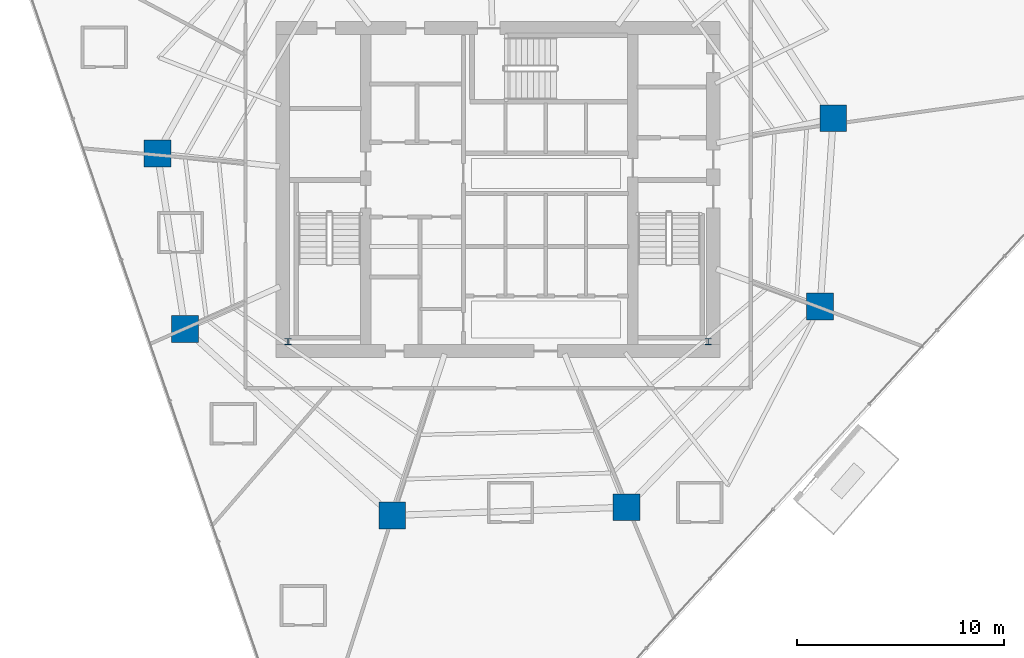
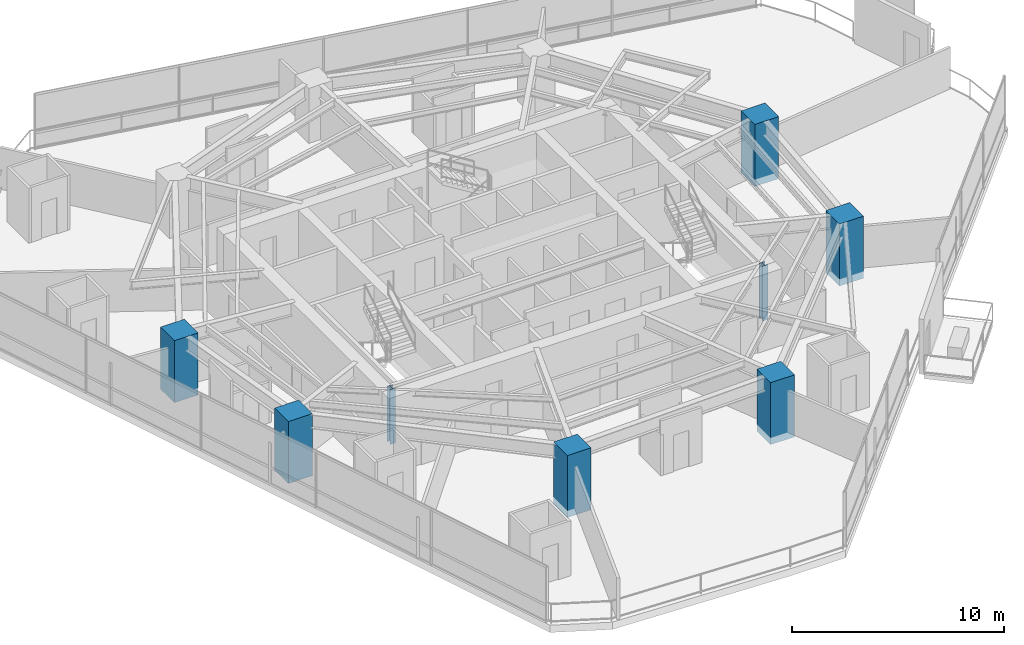
# One storey, part 1 of 33: 8 columns.
"""IFC4 building model written with IfcOpenShell, lengths in metres."""

from ifc_helpers import new_model, si_unit, direction, frame, origin, origin_2d, place, context, subcontext, project, spatial, rectangle, i_section, extrude, material, material_profile, profile_set, type_object, element, save


model = new_model("IFC4")

# Units and contexts
model_context = context("Model", 3, precision=1e-05, world=origin(), true_north=direction((0.0, 1.0)))
body_context = subcontext(model_context, "Body", "Model", "MODEL_VIEW")
ifc_project = project(units=[si_unit("LENGTHUNIT", "METRE"), si_unit("AREAUNIT", "SQUARE_METRE"), si_unit("VOLUMEUNIT", "CUBIC_METRE"), si_unit("PLANEANGLEUNIT", "RADIAN"), si_unit("MASSUNIT", "GRAM", prefix="KILO")], contexts=[model_context])

# Site, building, storey
site_placement = place(None, origin())
site = spatial("IfcSite", under=ifc_project, at=site_placement, CompositionType="ELEMENT")
building_placement = place(site_placement, origin())
building = spatial("IfcBuilding", under=site, at=building_placement, Name="Qarnah Convention Tower", CompositionType="ELEMENT")
storey_placement = place(building_placement, frame((0.0, 0.0, 27.0)))
storey = spatial("IfcBuildingStorey", under=building, at=storey_placement, Name="L05", CompositionType="ELEMENT", Elevation=27.0)

# Columns
ifc_material_1 = material(Name="Concrete C60/75", Category="concrete")
ifc_material_profile_1 = material_profile(ifc_material_1, rectangle(XDim=1.300048828125, YDim=1.300048828125, at=origin_2d()), Name="RC-COL-1300X1300")
ifc_profile_set_1 = profile_set([ifc_material_profile_1], Name="Concrete C60/75")
column_type_1 = type_object("IfcColumnType", Name="COL-Z1-1300", PredefinedType="COLUMN", material=ifc_profile_set_1)
for number, where, z_axis, x_axis, name in (
    (1, (53.387939453125, 29.841064453125, -0.405029296875), (0.0, 0.0, 1.0), (1.0, 0.0, 0.0), "L05 plumb column PC-Z1-01"),
    (2, (20.740966796875, 28.1298828125, -0.405029296875), (0.0, 0.0, 1.0), (1.0, 0.0, 0.0), "L05 plumb column PC-Z1-05"),
    (3, (22.0810546875, 19.6689453125, -0.405029296875), (0.0, 0.0, 1.0), (1.0, 0.0, 0.0), "L05 plumb column PC-Z1-06"),
    (4, (32.0859375, 10.659912109375, -0.405029296875), (0.0, 0.0, 1.0), (1.0, 0.0, 0.0), "L05 plumb column PC-Z1-07"),
    (5, (43.39990234375, 11.054931640625, -0.405029296875), (0.0, 0.0, 1.0), (1.0, 0.0, 0.0), "L05 plumb column PC-Z1-08"),
    (6, (52.751953125, 20.739990234375, -0.405029296875), (0.0, 0.0, 1.0), (1.0, 0.0, 0.0), "L05 plumb column PC-Z1-09"),
):
    element("IfcColumn", number, at=place(storey_placement, frame(where, z_axis=z_axis, x_axis=x_axis)), inside=storey, type_object=column_type_1, Name=name, PredefinedType="COLUMN", context=body_context, shape_type="SweptSolid", body=[
        extrude(rectangle(XDim=1.300048828125, YDim=1.300048828125, at=origin_2d()), origin(), (0.0, 0.0, 1.0), 3.574951171875),
    ])
ifc_material_2 = material(Name="Structural steel S355JR", Category="steel")
ifc_material_profile_2 = material_profile(ifc_material_2, i_section(OverallWidth=0.300048828125, OverallDepth=0.300048828125, WebThickness=0.010986328125, FlangeThickness=0.01904296875, at=origin_2d()), Name="HEB300")
ifc_profile_set_2 = profile_set([ifc_material_profile_2], Name="Structural steel S355JR")
column_type_2 = type_object("IfcColumnType", Name="PIL-SHF-300", PredefinedType="PILASTER", material=ifc_profile_set_2)
for number, where, z_axis, x_axis, name in (
    (7, (27.050048828125, 19.050048828125, 0.0), (0.0, 0.0, 1.0), (1.0, 0.0, 0.0), "L05 core spine steel pilaster 1"),
    (8, (47.35009765625, 19.050048828125, 0.0), (0.0, 0.0, 1.0), (1.0, 0.0, 0.0), "L05 core spine steel pilaster 2"),
):
    element("IfcColumn", number, at=place(storey_placement, frame(where, z_axis=z_axis, x_axis=x_axis)), inside=storey, type_object=column_type_2, Name=name, PredefinedType="PILASTER", context=body_context, shape_type="SweptSolid", body=[
        extrude(i_section(OverallWidth=0.300048828125, OverallDepth=0.300048828125, WebThickness=0.010986328125, FlangeThickness=0.01904296875, at=origin_2d()), origin(), (0.0, 0.0, 1.0), 3.169921875),
    ])

save(model, "model.ifc")
